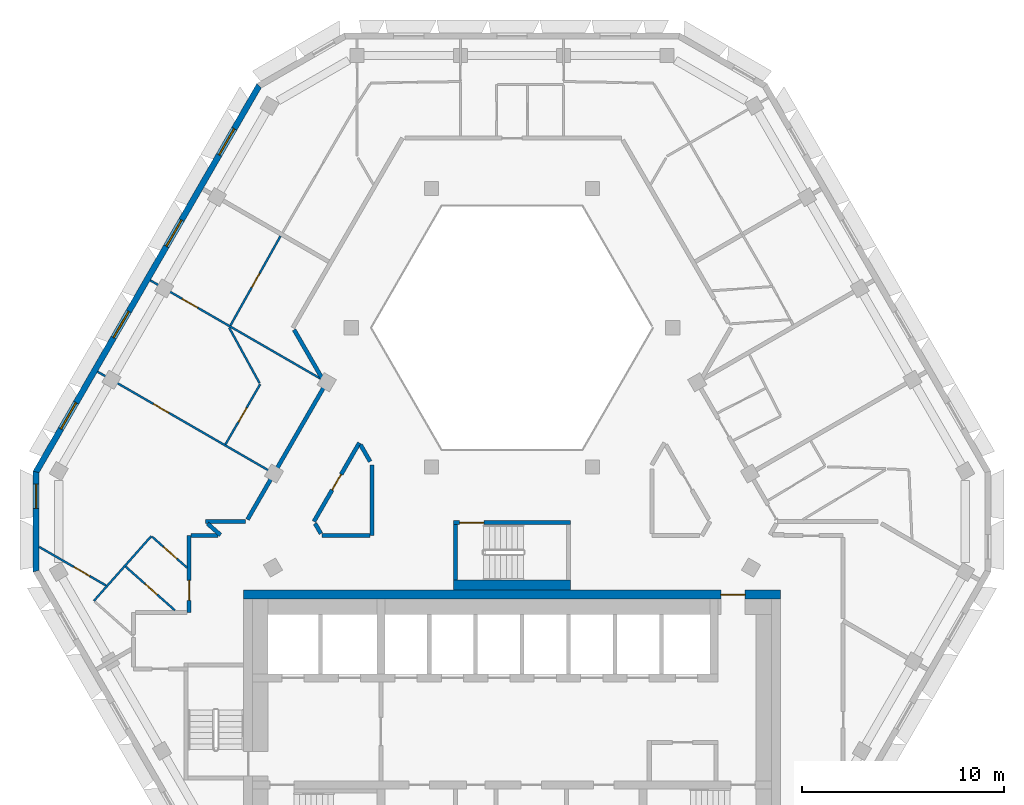
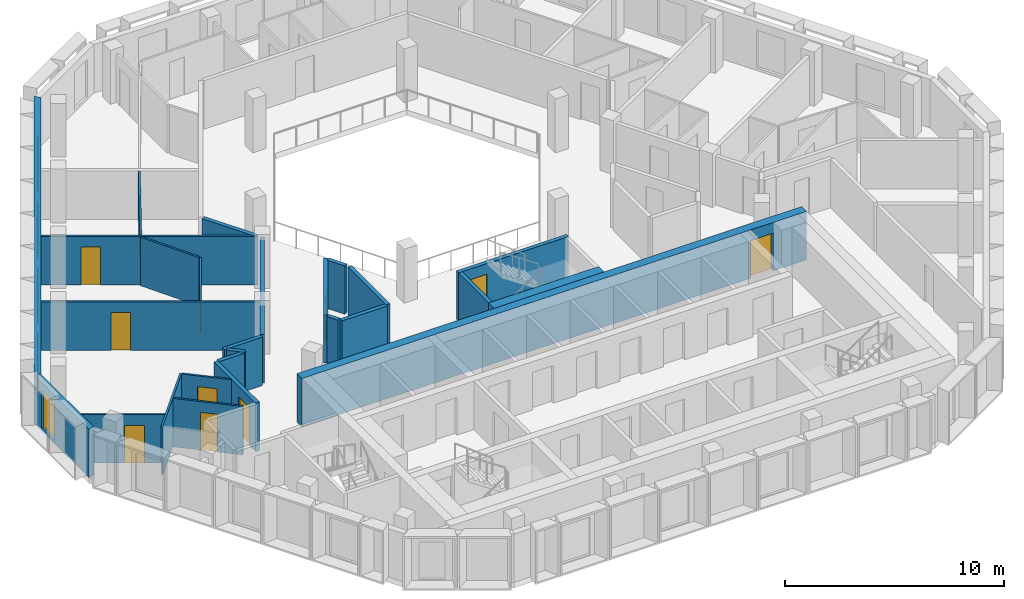
# One storey, part 4 of 14: 26 walls, 11 doors, 5 windows, 16 openings.
"""IFC4 building model written with IfcOpenShell, lengths in metres."""

from ifc_helpers import new_model, si_unit, direction, frame, frame_2d, origin, place, context, subcontext, project, spatial, polyline, rectangle, outline, extrude, material, layer, layer_set, type_object, element, fill, save


model = new_model("IFC4")

# Units and contexts
model_context = context("Model", 3, precision=1e-05, world=origin(), true_north=direction((0.0, 1.0)))
body_context = subcontext(model_context, "Body", "Model", "MODEL_VIEW")
ifc_project = project(units=[si_unit("LENGTHUNIT", "METRE"), si_unit("AREAUNIT", "SQUARE_METRE"), si_unit("VOLUMEUNIT", "CUBIC_METRE"), si_unit("PLANEANGLEUNIT", "RADIAN"), si_unit("MASSUNIT", "GRAM", prefix="KILO")], contexts=[model_context])

# Site, building, storey
site_placement = place(None, origin())
site = spatial("IfcSite", under=ifc_project, at=site_placement, CompositionType="ELEMENT")
building_placement = place(site_placement, origin())
building = spatial("IfcBuilding", under=site, at=building_placement, Name="Beryl Residences", CompositionType="ELEMENT")
storey_placement = place(building_placement, frame((0.0, 0.0, 223.800048828125)))
storey = spatial("IfcBuildingStorey", under=building, at=storey_placement, Name="L69", CompositionType="ELEMENT", Elevation=223.800048828125)

# Wall, openings, windows
ifc_material_1 = material(Name="Composite metal panel with mineral wool insulation")
ifc_layer_1 = layer(ifc_material_1, 0.300048828125)
ifc_layer_set_1 = layer_set([ifc_layer_1], Name="ES1 pale metal composite panel wall 300 mm")
wall_type_1 = type_object("IfcWallType", Name="ES1 pale metal composite panel wall 300 mm", PredefinedType="SOLIDWALL", material=ifc_layer_set_1)
wall_1_placement = place(storey_placement, frame((-12.513916015625, 20.02490234375, 0.0), z_axis=(0.0, 0.0, 1.0), x_axis=(-0.500003656944, -0.866023292436, 0.0)))
wall_1 = element("IfcWall", 1, at=wall_1_placement, inside=storey, type_object=wall_type_1, Name="ES1 external wall L69 NW", PredefinedType="SOLIDWALL", context=body_context, shape_type="SweptSolid", body=[
    extrude(outline(polyline([(0.0, -0.14990234375), (22.170166015625, -0.14990234375), (22.08984375, 0.14990234375), (0.080322265625, 0.14990234375), (0.0, -0.14990234375)])), origin(), (0.0, 0.0, 1.0), 2.699951171875),
])
opening_1_placement = place(wall_1_placement, frame((2.4970703125, 0.0, 0.14990234375)))
opening_1 = element("IfcOpeningElement", 2, at=opening_1_placement, cuts=wall_1, Name="Opening W1", PredefinedType="OPENING", context=body_context, shape_type="SweptSolid", body=[
    extrude(rectangle(XDim=1.5, YDim=2.10009765625, at=frame_2d((0.75, 1.050048828125))), frame((0.0, 0.159912109375, 0.0), z_axis=(0.0, -1.0, 0.0), x_axis=(1.0, 0.0, 0.0)), (0.0, 0.0, 1.0), 0.320068359375),
])
opening_2_placement = place(wall_1_placement, frame((7.721923828125, 0.0, 0.14990234375)))
opening_2 = element("IfcOpeningElement", 3, at=opening_2_placement, cuts=wall_1, Name="Opening W1", PredefinedType="OPENING", context=body_context, shape_type="SweptSolid", body=[
    extrude(rectangle(XDim=1.5, YDim=2.10009765625, at=frame_2d((0.75, 1.050048828125))), frame((0.0, 0.159912109375, 0.0), z_axis=(0.0, -1.0, 0.0), x_axis=(1.0, 0.0, 0.0)), (0.0, 0.0, 1.0), 0.320068359375),
])
opening_3_placement = place(wall_1_placement, frame((12.947998046875, 0.0, 0.14990234375)))
opening_3 = element("IfcOpeningElement", 4, at=opening_3_placement, cuts=wall_1, Name="Opening W1", PredefinedType="OPENING", context=body_context, shape_type="SweptSolid", body=[
    extrude(rectangle(XDim=1.5, YDim=2.10009765625, at=frame_2d((0.75, 1.050048828125))), frame((0.0, 0.159912109375, 0.0), z_axis=(0.0, -1.0, 0.0), x_axis=(1.0, 0.0, 0.0)), (0.0, 0.0, 1.0), 0.320068359375),
])
opening_4_placement = place(wall_1_placement, frame((18.173095703125, 0.0, 0.14990234375)))
opening_4 = element("IfcOpeningElement", 5, at=opening_4_placement, cuts=wall_1, Name="Opening W1", PredefinedType="OPENING", context=body_context, shape_type="SweptSolid", body=[
    extrude(rectangle(XDim=1.5, YDim=2.10009765625, at=frame_2d((0.75, 1.050048828125))), frame((0.0, 0.159912109375, 0.0), z_axis=(0.0, -1.0, 0.0), x_axis=(1.0, 0.0, 0.0)), (0.0, 0.0, 1.0), 0.320068359375),
])
ifc_material_2 = material(Name="Aluminium and clear glass", Category="aluminium")
window_type_1 = type_object("IfcWindowType", Name="W1 cell window 1500 x 2100 mm", PartitioningType="SINGLE_PANEL", PredefinedType="WINDOW", material=ifc_material_2)
window_1_placement = place(opening_1_placement, origin())
window_1 = element("IfcWindow", 6, at=window_1_placement, inside=storey, type_object=window_type_1, Name="W1 window L69 NW 2", OverallHeight=2.10009765625, OverallWidth=1.5, PartitioningType="SINGLE_PANEL", PredefinedType="WINDOW", context=body_context, shape_type="SweptSolid", body=[
    extrude(rectangle(XDim=1.5, YDim=2.10009765625, at=frame_2d((0.75, 1.050048828125))), frame((0.0, 0.030029296875, 0.0), z_axis=(0.0, -1.0, 0.0), x_axis=(1.0, 0.0, 0.0)), (0.0, 0.0, 1.0), 0.06005859375),
])
fill(opening_1, window_1)
window_2_placement = place(opening_2_placement, origin())
window_2 = element("IfcWindow", 7, at=window_2_placement, inside=storey, type_object=window_type_1, Name="W1 window L69 NW 4", OverallHeight=2.10009765625, OverallWidth=1.5, PartitioningType="SINGLE_PANEL", PredefinedType="WINDOW", context=body_context, shape_type="SweptSolid", body=[
    extrude(rectangle(XDim=1.5, YDim=2.10009765625, at=frame_2d((0.75, 1.050048828125))), frame((0.0, 0.030029296875, 0.0), z_axis=(0.0, -1.0, 0.0), x_axis=(1.0, 0.0, 0.0)), (0.0, 0.0, 1.0), 0.06005859375),
])
fill(opening_2, window_2)
window_3_placement = place(opening_3_placement, origin())
window_3 = element("IfcWindow", 8, at=window_3_placement, inside=storey, type_object=window_type_1, Name="W1 window L69 NW 6", OverallHeight=2.10009765625, OverallWidth=1.5, PartitioningType="SINGLE_PANEL", PredefinedType="WINDOW", context=body_context, shape_type="SweptSolid", body=[
    extrude(rectangle(XDim=1.5, YDim=2.10009765625, at=frame_2d((0.75, 1.050048828125))), frame((0.0, 0.030029296875, 0.0), z_axis=(0.0, -1.0, 0.0), x_axis=(1.0, 0.0, 0.0)), (0.0, 0.0, 1.0), 0.06005859375),
])
fill(opening_3, window_3)
window_4_placement = place(opening_4_placement, origin())
window_4 = element("IfcWindow", 9, at=window_4_placement, inside=storey, type_object=window_type_1, Name="W1 window L69 NW 8", OverallHeight=2.10009765625, OverallWidth=1.5, PartitioningType="SINGLE_PANEL", PredefinedType="WINDOW", context=body_context, shape_type="SweptSolid", body=[
    extrude(rectangle(XDim=1.5, YDim=2.10009765625, at=frame_2d((0.75, 1.050048828125))), frame((0.0, 0.030029296875, 0.0), z_axis=(0.0, -1.0, 0.0), x_axis=(1.0, 0.0, 0.0)), (0.0, 0.0, 1.0), 0.06005859375),
])
fill(opening_4, window_4)

# Wall, opening, window
wall_2_placement = place(storey_placement, frame((-23.5791015625, 0.89990234375, 0.0), z_axis=(0.0, 0.0, 1.0), x_axis=(0.0, -1.0, 0.0)))
wall_2 = element("IfcWall", 10, at=wall_2_placement, inside=storey, type_object=wall_type_1, Name="ES1 external wall L69 NW-SW", PredefinedType="SOLIDWALL", context=body_context, shape_type="SweptSolid", body=[
    extrude(outline(polyline([(0.0, -0.14990234375), (5.0, -0.14990234375), (4.919677734375, 0.14990234375), (0.080322265625, 0.14990234375), (0.0, -0.14990234375)])), origin(), (0.0, 0.0, 1.0), 2.699951171875),
])
opening_5_placement = place(wall_2_placement, frame((0.64990234375, 0.0, 0.14990234375)))
opening_5 = element("IfcOpeningElement", 11, at=opening_5_placement, cuts=wall_2, Name="Opening W2", PredefinedType="OPENING", context=body_context, shape_type="SweptSolid", body=[
    extrude(rectangle(XDim=1.199951171875, YDim=2.10009765625, at=frame_2d((0.60009765625, 1.050048828125))), frame((0.0, 0.159912109375, 0.0), z_axis=(0.0, -1.0, 0.0), x_axis=(1.0, 0.0, 0.0)), (0.0, 0.0, 1.0), 0.320068359375),
])
ifc_material_3 = material(Name="Aluminium and clear glass", Category="aluminium")
window_type_2 = type_object("IfcWindowType", Name="W2 chamfer window 1200 x 2100 mm", PartitioningType="SINGLE_PANEL", PredefinedType="WINDOW", material=ifc_material_3)
window_5_placement = place(opening_5_placement, origin())
window_5 = element("IfcWindow", 12, at=window_5_placement, inside=storey, type_object=window_type_2, Name="W2 window L69 NW-SW 1", OverallHeight=2.10009765625, OverallWidth=1.199951171875, PartitioningType="SINGLE_PANEL", PredefinedType="WINDOW", context=body_context, shape_type="SweptSolid", body=[
    extrude(rectangle(XDim=1.199951171875, YDim=2.10009765625, at=frame_2d((0.60009765625, 1.050048828125))), frame((0.0, 0.030029296875, 0.0), z_axis=(0.0, -1.0, 0.0), x_axis=(1.0, 0.0, 0.0)), (0.0, 0.0, 1.0), 0.06005859375),
])
fill(opening_5, window_5)

# Wall
ifc_material_4 = material(Name="Gypsum board partition on steel studs", Category="steel")
ifc_layer_2 = layer(ifc_material_4, 0.10009765625)
ifc_layer_set_2 = layer_set([ifc_layer_2], Name="PT1 partition 100 mm gypsum board on steel studs")
wall_type_2 = type_object("IfcWallType", Name="PT1 partition 100 mm gypsum board on steel studs", PredefinedType="PARTITIONING", material=ifc_layer_set_2)
wall_3_placement = place(storey_placement, frame((-14.011962890625, 8.0, 0.0), z_axis=(0.0, 0.0, 1.0), x_axis=(0.480183343847, -0.877168145963, 0.0)))
element("IfcWall", 13, at=wall_3_placement, inside=storey, type_object=wall_type_2, Name="Wall PT1 L69 005", PredefinedType="PARTITIONING", context=body_context, shape_type="SweptSolid", body=[
    extrude(rectangle(XDim=3.134033203125, YDim=0.10009765625, at=frame_2d((1.56689453125, 0.0))), origin(), (0.0, 0.0, 1.0), 2.699951171875),
])

# Wall, opening, door
wall_4_placement = place(storey_placement, frame((-20.5390625, 5.824951171875, 0.0), z_axis=(0.0, 0.0, 1.0), x_axis=(0.866089650643, -0.499888704662, 0.0)))
wall_4 = element("IfcWall", 14, at=wall_4_placement, inside=storey, type_object=wall_type_2, Name="Wall PT1 L69 015", PredefinedType="PARTITIONING", context=body_context, shape_type="SweptSolid", body=[
    extrude(rectangle(XDim=10.000244140625, YDim=0.10009765625, at=frame_2d((5.0, 0.0))), origin(), (0.0, 0.0, 1.0), 2.699951171875),
])
opening_6_placement = place(wall_4_placement, frame((3.196044921875, 0.0, 0.0)))
opening_6 = element("IfcOpeningElement", 15, at=opening_6_placement, cuts=wall_4, Name="Opening D2215", PredefinedType="OPENING", context=body_context, shape_type="SweptSolid", body=[
    extrude(rectangle(XDim=0.89990234375, YDim=2.10009765625, at=frame_2d((0.449951171875, 1.050048828125))), frame((0.0, 0.06005859375, 0.0), z_axis=(0.0, -1.0, 0.0), x_axis=(1.0, 0.0, 0.0)), (0.0, 0.0, 1.0), 0.1201171875),
])
ifc_material_5 = material(Name="Timber door leaf", Category="wood")
door_type_1 = type_object("IfcDoorType", Name="D2 room door 900 x 2100 mm", OperationType="SINGLE_SWING_LEFT", PredefinedType="DOOR", material=ifc_material_5)
door_1_placement = place(opening_6_placement, origin())
door_1 = element("IfcDoor", 16, at=door_1_placement, inside=storey, type_object=door_type_1, Name="Door D2215 L69 001", OperationType="SINGLE_SWING_LEFT", OverallHeight=2.10009765625, OverallWidth=0.89990234375, PredefinedType="DOOR", context=body_context, shape_type="SweptSolid", body=[
    extrude(rectangle(XDim=0.89990234375, YDim=2.10009765625, at=frame_2d((0.449951171875, 1.050048828125))), frame((0.0, 0.02490234375, 0.0), z_axis=(0.0, -1.0, 0.0), x_axis=(1.0, 0.0, 0.0)), (0.0, 0.0, 1.0), 0.050048828125),
])
fill(opening_6, door_1)

wall_5_placement = place(storey_placement, frame((-23.428955078125, -2.85791015625, 0.0), z_axis=(0.0, 0.0, 1.0), x_axis=(0.8659754619, -0.500086491905, 0.0)))
wall_5 = element("IfcWall", 17, at=wall_5_placement, inside=storey, type_object=wall_type_2, Name="Wall PT1 L69 016", PredefinedType="PARTITIONING", context=body_context, shape_type="SweptSolid", body=[
    extrude(rectangle(XDim=3.831298828125, YDim=0.10009765625, at=frame_2d((1.91552734375, 0.0))), origin(), (0.0, 0.0, 1.0), 2.699951171875),
])
opening_7_placement = place(wall_5_placement, frame((1.990966796875, 0.0, 0.0)))
opening_7 = element("IfcOpeningElement", 18, at=opening_7_placement, cuts=wall_5, Name="Opening D2216", PredefinedType="OPENING", context=body_context, shape_type="SweptSolid", body=[
    extrude(rectangle(XDim=0.89990234375, YDim=2.10009765625, at=frame_2d((0.449951171875, 1.050048828125))), frame((0.0, 0.06005859375, 0.0), z_axis=(0.0, -1.0, 0.0), x_axis=(1.0, 0.0, 0.0)), (0.0, 0.0, 1.0), 0.1201171875),
])
door_2_placement = place(opening_7_placement, origin())
door_2 = element("IfcDoor", 19, at=door_2_placement, inside=storey, type_object=door_type_1, Name="Door D2216 L69 001", OperationType="SINGLE_SWING_RIGHT", OverallHeight=2.10009765625, OverallWidth=0.89990234375, PredefinedType="DOOR", context=body_context, shape_type="SweptSolid", body=[
    extrude(rectangle(XDim=0.89990234375, YDim=2.10009765625, at=frame_2d((0.449951171875, 1.050048828125))), frame((0.0, 0.02490234375, 0.0), z_axis=(0.0, -1.0, 0.0), x_axis=(1.0, 0.0, 0.0)), (0.0, 0.0, 1.0), 0.050048828125),
])
fill(opening_7, door_2)

wall_6_placement = place(storey_placement, frame((-17.926025390625, 10.35009765625, 0.0), z_axis=(0.0, 0.0, 1.0), x_axis=(0.866018411306, -0.500012111133, 0.0)))
wall_6 = element("IfcWall", 20, at=wall_6_placement, inside=storey, type_object=wall_type_2, Name="Wall PT1 L69 017", PredefinedType="PARTITIONING", context=body_context, shape_type="SweptSolid", body=[
    extrude(rectangle(XDim=9.898193359375, YDim=0.10009765625, at=frame_2d((4.94921875, 0.0))), origin(), (0.0, 0.0, 1.0), 2.699951171875),
])
opening_8_placement = place(wall_6_placement, frame((1.830078125, 0.0, 0.0)))
opening_8 = element("IfcOpeningElement", 21, at=opening_8_placement, cuts=wall_6, Name="Opening D2217", PredefinedType="OPENING", context=body_context, shape_type="SweptSolid", body=[
    extrude(rectangle(XDim=0.89990234375, YDim=2.10009765625, at=frame_2d((0.449951171875, 1.050048828125))), frame((0.0, 0.06005859375, 0.0), z_axis=(0.0, -1.0, 0.0), x_axis=(1.0, 0.0, 0.0)), (0.0, 0.0, 1.0), 0.1201171875),
])
door_3_placement = place(opening_8_placement, origin())
door_3 = element("IfcDoor", 22, at=door_3_placement, inside=storey, type_object=door_type_1, Name="Door D2217 L69 001", OperationType="SINGLE_SWING_LEFT", OverallHeight=2.10009765625, OverallWidth=0.89990234375, PredefinedType="DOOR", context=body_context, shape_type="SweptSolid", body=[
    extrude(rectangle(XDim=0.89990234375, YDim=2.10009765625, at=frame_2d((0.449951171875, 1.050048828125))), frame((0.0, 0.02490234375, 0.0), z_axis=(0.0, -1.0, 0.0), x_axis=(1.0, 0.0, 0.0)), (0.0, 0.0, 1.0), 0.050048828125),
])
fill(opening_8, door_3)

wall_7_placement = place(storey_placement, frame((-17.8330078125, -2.35498046875, 0.0), z_axis=(0.0, 0.0, 1.0), x_axis=(0.748577710953, -0.663047065196, 0.0)))
wall_7 = element("IfcWall", 23, at=wall_7_placement, inside=storey, type_object=wall_type_2, Name="Wall PT1 L69 018", PredefinedType="PARTITIONING", context=body_context, shape_type="SweptSolid", body=[
    extrude(rectangle(XDim=2.31494140625, YDim=0.10009765625, at=frame_2d((1.157470703125, 0.0))), origin(), (0.0, 0.0, 1.0), 2.699951171875),
])
opening_9_placement = place(wall_7_placement, frame((0.7490234375, 0.0, 0.0)))
opening_9 = element("IfcOpeningElement", 24, at=opening_9_placement, cuts=wall_7, Name="Opening D2214", PredefinedType="OPENING", context=body_context, shape_type="SweptSolid", body=[
    extrude(rectangle(XDim=0.89990234375, YDim=2.10009765625, at=frame_2d((0.449951171875, 1.050048828125))), frame((0.0, 0.06005859375, 0.0), z_axis=(0.0, -1.0, 0.0), x_axis=(1.0, 0.0, 0.0)), (0.0, 0.0, 1.0), 0.1201171875),
])
door_4_placement = place(opening_9_placement, origin())
door_4 = element("IfcDoor", 25, at=door_4_placement, inside=storey, type_object=door_type_1, Name="Door D2214 L69 001", OperationType="SINGLE_SWING_RIGHT", OverallHeight=2.10009765625, OverallWidth=0.89990234375, PredefinedType="DOOR", context=body_context, shape_type="SweptSolid", body=[
    extrude(rectangle(XDim=0.89990234375, YDim=2.10009765625, at=frame_2d((0.449951171875, 1.050048828125))), frame((0.0, 0.02490234375, 0.0), z_axis=(0.0, -1.0, 0.0), x_axis=(1.0, 0.0, 0.0)), (0.0, 0.0, 1.0), 0.050048828125),
])
fill(opening_9, door_4)

wall_8_placement = place(storey_placement, frame((-19.14599609375, -3.8359375, 0.0), z_axis=(0.0, 0.0, 1.0), x_axis=(0.748267567437, -0.663397051186, 0.0)))
wall_8 = element("IfcWall", 26, at=wall_8_placement, inside=storey, type_object=wall_type_2, Name="Wall PT1 L69 019", PredefinedType="PARTITIONING", context=body_context, shape_type="SweptSolid", body=[
    extrude(rectangle(XDim=3.26220703125, YDim=0.10009765625, at=frame_2d((1.631103515625, 0.0))), origin(), (0.0, 0.0, 1.0), 2.699951171875),
])
opening_10_placement = place(wall_8_placement, frame((1.281982421875, 0.0, 0.0)))
opening_10 = element("IfcOpeningElement", 27, at=opening_10_placement, cuts=wall_8, Name="Opening D2213", PredefinedType="OPENING", context=body_context, shape_type="SweptSolid", body=[
    extrude(rectangle(XDim=0.800048828125, YDim=2.10009765625, at=frame_2d((0.39990234375, 1.050048828125))), frame((0.0, 0.06005859375, 0.0), z_axis=(0.0, -1.0, 0.0), x_axis=(1.0, 0.0, 0.0)), (0.0, 0.0, 1.0), 0.1201171875),
])
ifc_material_6 = material(Name="Timber door leaf", Category="wood")
door_type_2 = type_object("IfcDoorType", Name="D3 bathroom door 800 x 2100 mm", OperationType="SINGLE_SWING_LEFT", PredefinedType="DOOR", material=ifc_material_6)
door_5_placement = place(opening_10_placement, origin())
door_5 = element("IfcDoor", 28, at=door_5_placement, inside=storey, type_object=door_type_2, Name="Door D2213 L69 001", OperationType="SINGLE_SWING_LEFT", OverallHeight=2.10009765625, OverallWidth=0.800048828125, PredefinedType="DOOR", context=body_context, shape_type="SweptSolid", body=[
    extrude(rectangle(XDim=0.800048828125, YDim=2.10009765625, at=frame_2d((0.39990234375, 1.050048828125))), frame((0.0, 0.02490234375, 0.0), z_axis=(0.0, -1.0, 0.0), x_axis=(1.0, 0.0, 0.0)), (0.0, 0.0, 1.0), 0.050048828125),
])
fill(opening_10, door_5)

wall_9_placement = place(storey_placement, frame((-14.197998046875, 2.221923828125, 0.0), z_axis=(0.0, 0.0, 1.0), x_axis=(0.500042121486, 0.866001083567, 0.0)))
wall_9 = element("IfcWall", 29, at=wall_9_placement, inside=storey, type_object=wall_type_2, Name="Wall PT1 L69 023", PredefinedType="PARTITIONING", context=body_context, shape_type="SweptSolid", body=[
    extrude(rectangle(XDim=3.437744140625, YDim=0.10009765625, at=frame_2d((1.71875, 0.0))), origin(), (0.0, 0.0, 1.0), 2.699951171875),
])
opening_11_placement = place(wall_9_placement, frame((1.2939453125, 0.0, 0.0)))
opening_11 = element("IfcOpeningElement", 30, at=opening_11_placement, cuts=wall_9, Name="Opening D2219", PredefinedType="OPENING", context=body_context, shape_type="SweptSolid", body=[
    extrude(rectangle(XDim=0.800048828125, YDim=2.10009765625, at=frame_2d((0.39990234375, 1.050048828125))), frame((0.0, 0.06005859375, 0.0), z_axis=(0.0, -1.0, 0.0), x_axis=(1.0, 0.0, 0.0)), (0.0, 0.0, 1.0), 0.1201171875),
])
door_6_placement = place(opening_11_placement, origin())
door_6 = element("IfcDoor", 31, at=door_6_placement, inside=storey, type_object=door_type_2, Name="Door D2219 L69 001", OperationType="SINGLE_SWING_LEFT", OverallHeight=2.10009765625, OverallWidth=0.800048828125, PredefinedType="DOOR", context=body_context, shape_type="SweptSolid", body=[
    extrude(rectangle(XDim=0.800048828125, YDim=2.10009765625, at=frame_2d((0.39990234375, 1.050048828125))), frame((0.0, 0.02490234375, 0.0), z_axis=(0.0, -1.0, 0.0), x_axis=(1.0, 0.0, 0.0)), (0.0, 0.0, 1.0), 0.050048828125),
])
fill(opening_11, door_6)

wall_10_placement = place(storey_placement, frame((-13.951904296875, 8.113037109375, 0.0), z_axis=(0.0, 0.0, 1.0), x_axis=(0.488568218554, 0.872525699231, 0.0)))
wall_10 = element("IfcWall", 32, at=wall_10_placement, inside=storey, type_object=wall_type_2, Name="Wall PT1 L69 026", PredefinedType="PARTITIONING", context=body_context, shape_type="SweptSolid", body=[
    extrude(rectangle(XDim=5.075927734375, YDim=0.10009765625, at=frame_2d((2.5380859375, 0.0))), origin(), (0.0, 0.0, 1.0), 2.699951171875),
])
opening_12_placement = place(wall_10_placement, frame((2.1630859375, 0.0, 0.0)))
opening_12 = element("IfcOpeningElement", 33, at=opening_12_placement, cuts=wall_10, Name="Opening D2218", PredefinedType="OPENING", context=body_context, shape_type="SweptSolid", body=[
    extrude(rectangle(XDim=0.800048828125, YDim=2.10009765625, at=frame_2d((0.39990234375, 1.050048828125))), frame((0.0, 0.06005859375, 0.0), z_axis=(0.0, -1.0, 0.0), x_axis=(1.0, 0.0, 0.0)), (0.0, 0.0, 1.0), 0.1201171875),
])
door_7_placement = place(opening_12_placement, origin())
door_7 = element("IfcDoor", 34, at=door_7_placement, inside=storey, type_object=door_type_2, Name="Door D2218 L69 001", OperationType="SINGLE_SWING_RIGHT", OverallHeight=2.10009765625, OverallWidth=0.800048828125, PredefinedType="DOOR", context=body_context, shape_type="SweptSolid", body=[
    extrude(rectangle(XDim=0.800048828125, YDim=2.10009765625, at=frame_2d((0.39990234375, 1.050048828125))), frame((0.0, 0.02490234375, 0.0), z_axis=(0.0, -1.0, 0.0), x_axis=(1.0, 0.0, 0.0)), (0.0, 0.0, 1.0), 0.050048828125),
])
fill(opening_12, door_7)

# Walls
wall_11_placement = place(storey_placement, frame((-20.716064453125, -5.531982421875, 0.0), z_axis=(0.0, 0.0, 1.0), x_axis=(0.663278535613, 0.748372623895, 0.0)))
element("IfcWall", 35, at=wall_11_placement, inside=storey, type_object=wall_type_2, Name="Wall PT1 L69 039", PredefinedType="PARTITIONING", context=body_context, shape_type="SweptSolid", body=[
    extrude(rectangle(XDim=4.289306640625, YDim=0.10009765625, at=frame_2d((2.14453125, 0.0))), origin(), (0.0, 0.0, 1.0), 2.699951171875),
])
ifc_material_7 = material(Name="Acoustic double stud gypsum board wall")
ifc_layer_3 = layer(ifc_material_7, 0.199951171875)
ifc_layer_set_3 = layer_set([ifc_layer_3], Name="PT3 party wall 200 mm acoustic double stud")
wall_type_3 = type_object("IfcWallType", Name="PT3 party wall 200 mm acoustic double stud", PredefinedType="PARTITIONING", material=ifc_layer_set_3)
wall_12_placement = place(storey_placement, frame((-15.0859375, -1.701904296875, 0.0), z_axis=(0.0, 0.0, 1.0), x_axis=(0.748305129876, -0.663354680846, 0.0)))
element("IfcWall", 36, at=wall_12_placement, inside=storey, type_object=wall_type_3, Name="Wall PT3 L69 004", PredefinedType="PARTITIONING", context=body_context, shape_type="SweptSolid", body=[
    extrude(rectangle(XDim=0.8564453125, YDim=0.199951171875, at=frame_2d((0.42822265625, 0.0))), origin(), (0.0, 0.0, 1.0), 2.699951171875),
])
wall_13_placement = place(storey_placement, frame((-15.197998046875, -1.60009765625, 0.0), z_axis=(0.0, 0.0, 1.0), x_axis=(1.0, 0.0, 0.0)))
element("IfcWall", 37, at=wall_13_placement, inside=storey, type_object=wall_type_3, Name="Wall PT3 L69 005", PredefinedType="PARTITIONING", context=body_context, shape_type="SweptSolid", body=[
    extrude(rectangle(XDim=2.0048828125, YDim=0.199951171875, at=frame_2d((1.00244140625, 0.0))), origin(), (0.0, 0.0, 1.0), 2.699951171875),
])
ifc_material_8 = material(Name="Double stud gypsum board wall")
ifc_layer_4 = layer(ifc_material_8, 0.199951171875)
ifc_layer_set_4 = layer_set([ifc_layer_4], Name="PT4 corridor wall 200 mm double stud")
wall_type_4 = type_object("IfcWallType", Name="PT4 corridor wall 200 mm double stud", PredefinedType="PARTITIONING", material=ifc_layer_set_4)
wall_14_placement = place(storey_placement, frame((-10.7958984375, 7.89990234375, 0.0), z_axis=(0.0, 0.0, 1.0), x_axis=(0.499674397761, -0.866213308731, 0.0)))
element("IfcWall", 38, at=wall_14_placement, inside=storey, type_object=wall_type_4, Name="Wall PT4 L69 001", PredefinedType="PARTITIONING", context=body_context, shape_type="SweptSolid", body=[
    extrude(rectangle(XDim=2.785400390625, YDim=0.199951171875, at=frame_2d((1.392578125, 0.0))), origin(), (0.0, 0.0, 1.0), 2.699951171875),
])
wall_15_placement = place(storey_placement, frame((-7.5048828125, 2.197998046875, 0.0), z_axis=(0.0, 0.0, 1.0), x_axis=(0.500409926597, -0.865788603161, 0.0)))
element("IfcWall", 39, at=wall_15_placement, inside=storey, type_object=wall_type_4, Name="Wall PT4 L69 002", PredefinedType="PARTITIONING", context=body_context, shape_type="SweptSolid", body=[
    extrude(rectangle(XDim=0.952880859375, YDim=0.199951171875, at=frame_2d((0.4765625, 0.0))), origin(), (0.0, 0.0, 1.0), 2.699951171875),
])
wall_16_placement = place(storey_placement, frame((-9.757080078125, -1.700927734375, 0.0), z_axis=(0.0, 0.0, 1.0), x_axis=(0.49996696679, -0.866044474677, 0.0)))
element("IfcWall", 40, at=wall_16_placement, inside=storey, type_object=wall_type_4, Name="Wall PT4 L69 003", PredefinedType="PARTITIONING", context=body_context, shape_type="SweptSolid", body=[
    extrude(rectangle(XDim=0.576171875, YDim=0.199951171875, at=frame_2d((0.2880859375, 0.0))), origin(), (0.0, 0.0, 1.0), 2.699951171875),
])
wall_17_placement = place(storey_placement, frame((-15.89892578125, -2.300048828125, 0.0), z_axis=(0.0, 0.0, 1.0), x_axis=(1.0, 0.0, 0.0)))
element("IfcWall", 41, at=wall_17_placement, inside=storey, type_object=wall_type_4, Name="Wall PT4 L69 013", PredefinedType="PARTITIONING", context=body_context, shape_type="SweptSolid", body=[
    extrude(rectangle(XDim=1.3369140625, YDim=0.199951171875, at=frame_2d((0.66845703125, 0.0))), origin(), (0.0, 0.0, 1.0), 2.699951171875),
])
wall_18_placement = place(storey_placement, frame((-9.409912109375, -2.300048828125, 0.0), z_axis=(0.0, 0.0, 1.0), x_axis=(1.0, 0.0, 0.0)))
element("IfcWall", 42, at=wall_18_placement, inside=storey, type_object=wall_type_4, Name="Wall PT4 L69 014", PredefinedType="PARTITIONING", context=body_context, shape_type="SweptSolid", body=[
    extrude(rectangle(XDim=2.380859375, YDim=0.199951171875, at=frame_2d((1.1904296875, 0.0))), origin(), (0.0, 0.0, 1.0), 2.699951171875),
])

# Wall, opening, door
wall_19_placement = place(storey_placement, frame((-9.81494140625, -1.60009765625, 0.0), z_axis=(0.0, 0.0, 1.0), x_axis=(0.500058909736, 0.865991389561, 0.0)))
wall_19 = element("IfcWall", 43, at=wall_19_placement, inside=storey, type_object=wall_type_4, Name="Wall PT4 L69 022", PredefinedType="PARTITIONING", context=body_context, shape_type="SweptSolid", body=[
    extrude(rectangle(XDim=4.50146484375, YDim=0.199951171875, at=frame_2d((2.250732421875, 0.0))), origin(), (0.0, 0.0, 1.0), 2.699951171875),
])
opening_13_placement = place(wall_19_placement, frame((1.801025390625, 0.0, 0.0)))
opening_13 = element("IfcOpeningElement", 44, at=opening_13_placement, cuts=wall_19, Name="Opening D2234", PredefinedType="OPENING", context=body_context, shape_type="SweptSolid", body=[
    extrude(rectangle(XDim=0.89990234375, YDim=2.10009765625, at=frame_2d((0.449951171875, 1.050048828125))), frame((0.0, 0.10986328125, 0.0), z_axis=(0.0, -1.0, 0.0), x_axis=(1.0, 0.0, 0.0)), (0.0, 0.0, 1.0), 0.219970703125),
])
door_8_placement = place(opening_13_placement, origin())
door_8 = element("IfcDoor", 45, at=door_8_placement, inside=storey, type_object=door_type_1, Name="Door D2234 L69 001", OperationType="SINGLE_SWING_RIGHT", OverallHeight=2.10009765625, OverallWidth=0.89990234375, PredefinedType="DOOR", context=body_context, shape_type="SweptSolid", body=[
    extrude(rectangle(XDim=0.89990234375, YDim=2.10009765625, at=frame_2d((0.449951171875, 1.050048828125))), frame((0.0, 0.02490234375, 0.0), z_axis=(0.0, -1.0, 0.0), x_axis=(1.0, 0.0, 0.0)), (0.0, 0.0, 1.0), 0.050048828125),
])
fill(opening_13, door_8)

# Walls
wall_20_placement = place(storey_placement, frame((-13.10595703125, -1.5, 0.0), z_axis=(0.0, 0.0, 1.0), x_axis=(0.500025705601, 0.86601056214, 0.0)))
element("IfcWall", 46, at=wall_20_placement, inside=storey, type_object=wall_type_4, Name="Wall PT4 L69 023", PredefinedType="PARTITIONING", context=body_context, shape_type="SweptSolid", body=[
    extrude(rectangle(XDim=7.7353515625, YDim=0.199951171875, at=frame_2d((3.86767578125, 0.0))), origin(), (0.0, 0.0, 1.0), 2.699951171875),
])
wall_21_placement = place(storey_placement, frame((-6.927978515625, -2.299072265625, 0.0), z_axis=(0.0, 0.0, 1.0), x_axis=(0.0, 1.0, 0.0)))
element("IfcWall", 47, at=wall_21_placement, inside=storey, type_object=wall_type_4, Name="Wall PT4 L69 026", PredefinedType="PARTITIONING", context=body_context, shape_type="SweptSolid", body=[
    extrude(rectangle(XDim=3.4990234375, YDim=0.199951171875, at=frame_2d((1.74951171875, 0.0))), origin(), (0.0, 0.0, 1.0), 2.699951171875),
])

# Wall, opening, door
wall_22_placement = place(storey_placement, frame((-16.0, -6.09912109375, 0.0), z_axis=(0.0, 0.0, 1.0), x_axis=(0.0, 1.0, 0.0)))
wall_22 = element("IfcWall", 48, at=wall_22_placement, inside=storey, type_object=wall_type_4, Name="Wall PT4 L69 027", PredefinedType="PARTITIONING", context=body_context, shape_type="SweptSolid", body=[
    extrude(rectangle(XDim=3.798095703125, YDim=0.199951171875, at=frame_2d((1.89892578125, 0.0))), origin(), (0.0, 0.0, 1.0), 2.699951171875),
])
opening_14_placement = place(wall_22_placement, frame((0.5869140625, 0.0, 0.0)))
opening_14 = element("IfcOpeningElement", 49, at=opening_14_placement, cuts=wall_22, Name="Opening D2212", PredefinedType="OPENING", context=body_context, shape_type="SweptSolid", body=[
    extrude(rectangle(XDim=1.0, YDim=2.10009765625, at=frame_2d((0.5, 1.050048828125))), frame((0.0, 0.10986328125, 0.0), z_axis=(0.0, -1.0, 0.0), x_axis=(1.0, 0.0, 0.0)), (0.0, 0.0, 1.0), 0.219970703125),
])
ifc_material_9 = material(Name="Timber door leaf", Category="wood")
door_type_3 = type_object("IfcDoorType", Name="D1 flat entrance door 1000 x 2100 mm", OperationType="SINGLE_SWING_LEFT", PredefinedType="DOOR", material=ifc_material_9)
door_9_placement = place(opening_14_placement, origin())
door_9 = element("IfcDoor", 50, at=door_9_placement, inside=storey, type_object=door_type_3, Name="Door D2212 L69 001", OperationType="SINGLE_SWING_RIGHT", OverallHeight=2.10009765625, OverallWidth=1.0, PredefinedType="DOOR", context=body_context, shape_type="SweptSolid", body=[
    extrude(rectangle(XDim=1.0, YDim=2.10009765625, at=frame_2d((0.5, 1.050048828125))), frame((0.0, 0.02490234375, 0.0), z_axis=(0.0, -1.0, 0.0), x_axis=(1.0, 0.0, 0.0)), (0.0, 0.0, 1.0), 0.050048828125),
])
fill(opening_14, door_9)

ifc_material_10 = material(Name="Concrete C40/50", Category="concrete")
ifc_layer_5 = layer(ifc_material_10, 0.199951171875)
ifc_layer_set_5 = layer_set([ifc_layer_5], Name="PT5 stair enclosure wall 200 mm reinforced concrete C40/50")
wall_type_5 = type_object("IfcWallType", Name="PT5 stair enclosure wall 200 mm reinforced concrete C40/50", PredefinedType="SOLIDWALL", material=ifc_layer_set_5)
wall_23_placement = place(storey_placement, frame((-2.89990234375, -1.64990234375, 0.0), z_axis=(0.0, 0.0, 1.0), x_axis=(1.0, 0.0, 0.0)))
wall_23 = element("IfcWall", 51, at=wall_23_placement, inside=storey, type_object=wall_type_5, Name="Wall PT5 L69 001", PredefinedType="SOLIDWALL", context=body_context, shape_type="SweptSolid", body=[
    extrude(rectangle(XDim=5.7998046875, YDim=0.199951171875, at=frame_2d((2.89990234375, 0.0))), origin(), (0.0, 0.0, 1.0), 2.699951171875),
])
opening_15_placement = place(wall_23_placement, frame((0.300048828125, 0.0, 0.0)))
opening_15 = element("IfcOpeningElement", 52, at=opening_15_placement, cuts=wall_23, Name="Opening DS04", PredefinedType="OPENING", context=body_context, shape_type="SweptSolid", body=[
    extrude(rectangle(XDim=1.199951171875, YDim=2.10009765625, at=frame_2d((0.60009765625, 1.050048828125))), frame((0.0, 0.10986328125, 0.0), z_axis=(0.0, -1.0, 0.0), x_axis=(1.0, 0.0, 0.0)), (0.0, 0.0, 1.0), 0.219970703125),
])
ifc_material_11 = material(Name="Steel door leaf in steel frame", Category="steel")
door_type_4 = type_object("IfcDoorType", Name="D4 stair door 1200 x 2100 mm", OperationType="SINGLE_SWING_LEFT", PredefinedType="DOOR", material=ifc_material_11)
door_10_placement = place(opening_15_placement, origin())
door_10 = element("IfcDoor", 53, at=door_10_placement, inside=storey, type_object=door_type_4, Name="Door DS04 L69 001", OperationType="SINGLE_SWING_LEFT", OverallHeight=2.10009765625, OverallWidth=1.199951171875, PredefinedType="DOOR", context=body_context, shape_type="SweptSolid", body=[
    extrude(rectangle(XDim=1.199951171875, YDim=2.10009765625, at=frame_2d((0.60009765625, 1.050048828125))), frame((0.0, 0.02490234375, 0.0), z_axis=(0.0, -1.0, 0.0), x_axis=(1.0, 0.0, 0.0)), (0.0, 0.0, 1.0), 0.050048828125),
])
fill(opening_15, door_10)

# Walls
wall_24_placement = place(storey_placement, frame((-2.800048828125, -4.5, 0.0), z_axis=(0.0, 0.0, 1.0), x_axis=(0.0, 1.0, 0.0)))
element("IfcWall", 54, at=wall_24_placement, inside=storey, type_object=wall_type_5, Name="Wall PT5 L69 002", PredefinedType="SOLIDWALL", context=body_context, shape_type="SweptSolid", body=[
    extrude(rectangle(XDim=2.75, YDim=0.199951171875, at=frame_2d((1.375, 0.0))), origin(), (0.0, 0.0, 1.0), 2.699951171875),
])
ifc_material_12 = material(Name="Concrete C40/50", Category="concrete")
ifc_layer_6 = layer(ifc_material_12, 0.5)
ifc_layer_set_6 = layer_set([ifc_layer_6], Name="PT5-500 stair enclosure wall 500 mm")
wall_type_6 = type_object("IfcWallType", Name="PT5-500 stair enclosure wall 500 mm", PredefinedType="SOLIDWALL", material=ifc_layer_set_6)
wall_25_placement = place(storey_placement, frame((-2.89990234375, -4.75, 0.0), z_axis=(0.0, 0.0, 1.0), x_axis=(1.0, 0.0, 0.0)))
element("IfcWall", 55, at=wall_25_placement, inside=storey, type_object=wall_type_6, Name="Wall PT5-500 L69 001", PredefinedType="SOLIDWALL", context=body_context, shape_type="SweptSolid", body=[
    extrude(rectangle(XDim=5.7998046875, YDim=0.5, at=frame_2d((2.89990234375, 0.0))), origin(), (0.0, 0.0, 1.0), 2.699951171875),
])

# Wall, opening, door
ifc_material_13 = material(Name="Concrete C50/60", Category="concrete")
ifc_layer_7 = layer(ifc_material_13, 0.449951171875)
ifc_layer_set_7 = layer_set([ifc_layer_7], Name="SW5 core outer wall 450 mm C50/60")
wall_type_7 = type_object("IfcWallType", Name="SW5 core outer wall 450 mm C50/60", PredefinedType="SHEAR", material=ifc_layer_set_7)
wall_26_placement = place(storey_placement, frame((-13.300048828125, -5.22509765625, 0.0), z_axis=(0.0, 0.0, 1.0), x_axis=(1.0, 0.0, 0.0)))
wall_26 = element("IfcWall", 56, at=wall_26_placement, inside=storey, type_object=wall_type_7, Name="Core wall N L69", PredefinedType="SHEAR", context=body_context, shape_type="SweptSolid", body=[
    extrude(rectangle(XDim=26.60009765625, YDim=0.449951171875, at=frame_2d((13.300048828125, 0.0))), origin(), (0.0, 0.0, 1.0), 2.699951171875),
])
opening_16_placement = place(wall_26_placement, frame((23.64990234375, 0.0, 0.0)))
opening_16 = element("IfcOpeningElement", 57, at=opening_16_placement, cuts=wall_26, Name="Opening FD-NORTH", PredefinedType="OPENING", context=body_context, shape_type="SweptSolid", body=[
    extrude(rectangle(XDim=1.199951171875, YDim=2.10009765625, at=frame_2d((0.60009765625, 1.050048828125))), frame((0.0, 0.23486328125, 0.0), z_axis=(0.0, -1.0, 0.0), x_axis=(1.0, 0.0, 0.0)), (0.0, 0.0, 1.0), 0.469970703125),
])
ifc_material_14 = material(Name="Steel door leaf in steel frame", Category="steel")
door_type_5 = type_object("IfcDoorType", Name="D22 lobby door 1200 x 2100 mm", OperationType="DOUBLE_DOOR_SINGLE_SWING", PredefinedType="DOOR", material=ifc_material_14)
door_11_placement = place(opening_16_placement, origin())
door_11 = element("IfcDoor", 58, at=door_11_placement, inside=storey, type_object=door_type_5, Name="Door FD-NORTH L69 001", OperationType="DOUBLE_DOOR_SINGLE_SWING", OverallHeight=2.10009765625, OverallWidth=1.199951171875, PredefinedType="DOOR", context=body_context, shape_type="SweptSolid", body=[
    extrude(rectangle(XDim=1.199951171875, YDim=2.10009765625, at=frame_2d((0.60009765625, 1.050048828125))), frame((0.0, 0.02490234375, 0.0), z_axis=(0.0, -1.0, 0.0), x_axis=(1.0, 0.0, 0.0)), (0.0, 0.0, 1.0), 0.050048828125),
])
fill(opening_16, door_11)

save(model, "model.ifc")
